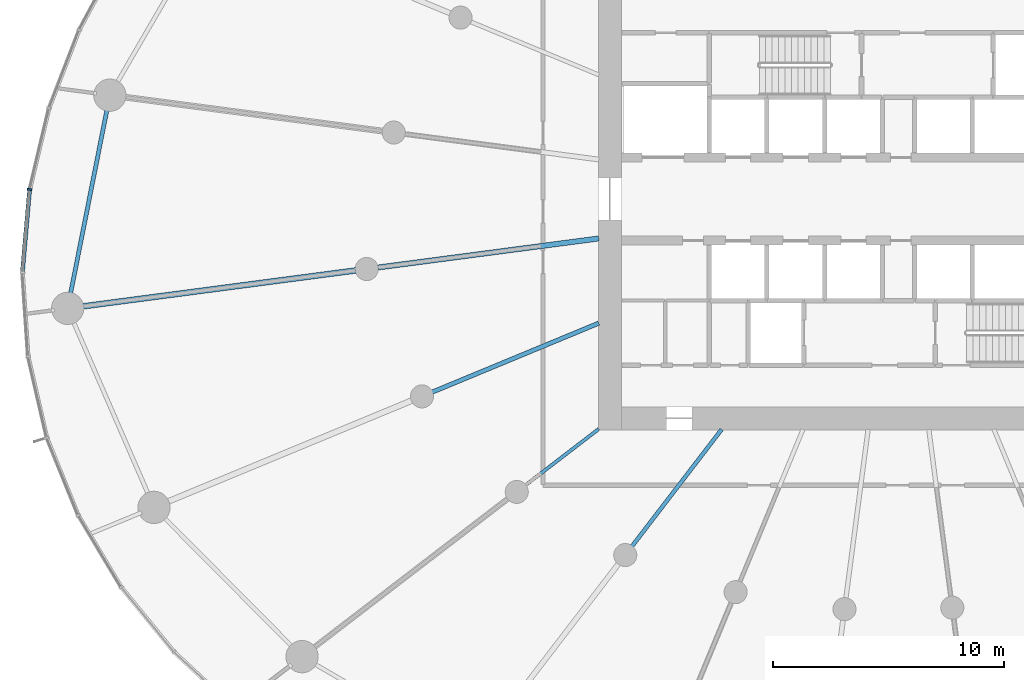
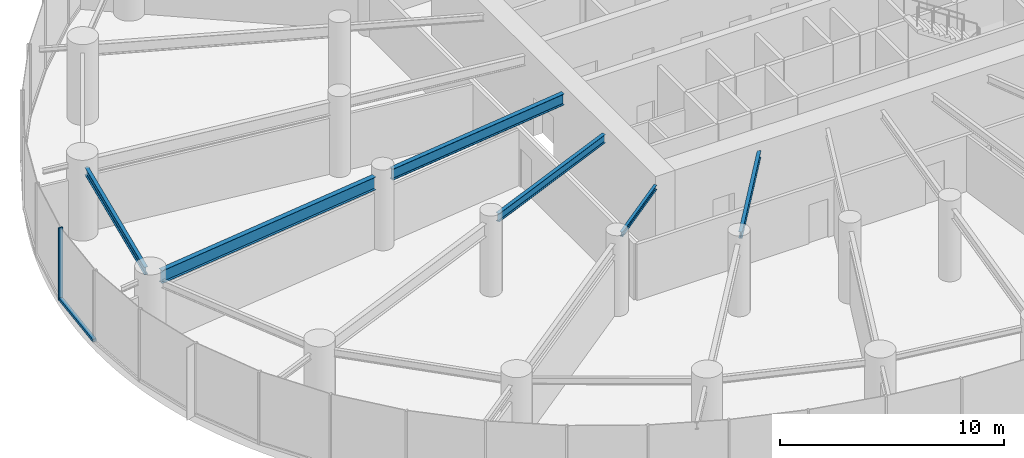
# One storey, part 3 of 18: 6 beams, 2 members, 1 element without a shape of its own.
"""IFC4 building model written with IfcOpenShell, lengths in metres."""

from ifc_helpers import new_model, si_unit, direction, frame, origin, origin_2d, place, context, subcontext, project, spatial, rectangle, i_section, extrude, source, transform, mapped, material, layer, layer_set, material_profile, profile_set, type_object, element, aggregate, save


model = new_model("IFC4")

# Units and contexts
model_context = context("Model", 3, precision=1e-05, world=origin(), true_north=direction((0.0, 1.0)))
body_context = subcontext(model_context, "Body", "Model", "MODEL_VIEW")
ifc_project = project(units=[si_unit("LENGTHUNIT", "METRE"), si_unit("AREAUNIT", "SQUARE_METRE"), si_unit("VOLUMEUNIT", "CUBIC_METRE"), si_unit("PLANEANGLEUNIT", "RADIAN"), si_unit("MASSUNIT", "GRAM", prefix="KILO")], contexts=[model_context])

# Site, building, storey
site_placement = place(None, origin())
site = spatial("IfcSite", under=ifc_project, at=site_placement, CompositionType="ELEMENT")
building_placement = place(site_placement, origin())
building = spatial("IfcBuilding", under=site, at=building_placement, Name="Spindrift Exchange Tower", CompositionType="ELEMENT")
storey_placement = place(building_placement, frame((0.0, 0.0, 62.199951171875)))
storey = spatial("IfcBuildingStorey", under=building, at=storey_placement, Name="L14", CompositionType="ELEMENT", Elevation=62.199951171875)

# Beams
ifc_material_1 = material(Name="Steel Grade 300", Category="steel")
ifc_material_profile_1 = material_profile(ifc_material_1, i_section(OverallWidth=0.22802734375, OverallDepth=0.60693359375, WebThickness=0.01123046875, FlangeThickness=0.017333984375, FilletRadius=0.013916015625, at=origin_2d()), Name="610UB113")
ifc_profile_set_1 = profile_set([ifc_material_profile_1], Name="Steel Grade 300")
beam_type_1 = type_object("IfcBeamType", Name="Floor Beam 610UB113 Steel Grade 300", PredefinedType="BEAM", material=ifc_profile_set_1)
shared_shape_1 = source(origin(), body_context, "Body", "SweptSolid", [
    extrude(i_section(OverallWidth=0.22802734375, OverallDepth=0.60693359375, WebThickness=0.01123046875, FlangeThickness=0.017333984375, FilletRadius=0.013916015625, at=origin_2d()), origin(), (0.0, 0.0, 1.0), 9.660400390625),
])
beam_1_placement = place(storey_placement, frame((39.019775390625, 46.291015625, 3.646484375), z_axis=(-0.99144767089, -0.130504850054, 0.0), x_axis=(0.130504850054, -0.99144767089, 0.0)))
element("IfcBeam", 1, at=beam_1_placement, inside=storey, type_object=beam_type_1, Name="L14 radial beam R13A", PredefinedType="BEAM", context=body_context, shape_type="MappedRepresentation", body=[
    mapped(shared_shape_1, transform((0.0, 0.0, 0.0), scale=1.0)),
])
ifc_material_profile_2 = material_profile(ifc_material_1, i_section(OverallWidth=0.25, OverallDepth=0.699951171875, WebThickness=0.008056640625, FlangeThickness=0.011962890625, at=origin_2d()), Name="700WB115")
ifc_profile_set_2 = profile_set([ifc_material_profile_2], Name="Steel Grade 300")
beam_type_2 = type_object("IfcBeamType", Name="Floor Beam 700WB115 Steel Grade 300", PredefinedType="BEAM", material=ifc_profile_set_2)
shared_shape_2 = source(origin(), body_context, "Body", "SweptSolid", [
    extrude(i_section(OverallWidth=0.25, OverallDepth=0.699951171875, WebThickness=0.008056640625, FlangeThickness=0.011962890625, at=origin_2d()), origin(), (0.0, 0.0, 1.0), 12.00830078125),
])
beam_2_placement = place(storey_placement, frame((28.490234375, 44.90478515625, 3.60009765625), z_axis=(-0.991444950947, -0.130525511844, 0.0), x_axis=(0.130525511844, -0.991444950947, 0.0)))
element("IfcBeam", 2, at=beam_2_placement, inside=storey, type_object=beam_type_2, Name="L14 radial beam R13B", PredefinedType="BEAM", context=body_context, shape_type="MappedRepresentation", body=[
    mapped(shared_shape_2, transform((0.0, 0.0, 0.0), scale=1.0)),
])
ifc_material_profile_3 = material_profile(ifc_material_1, i_section(OverallWidth=0.18994140625, OverallDepth=0.45703125, WebThickness=0.009033203125, FlangeThickness=0.014404296875, FilletRadius=0.013916015625, at=origin_2d()), Name="460UB74.6")
ifc_profile_set_3 = profile_set([ifc_material_profile_3], Name="Steel Grade 300")
beam_type_3 = type_object("IfcBeamType", Name="Floor Beam 460UB74.6 Steel Grade 300", PredefinedType="BEAM", material=ifc_profile_set_3)
shared_shape_3 = source(origin(), body_context, "Body", "SweptSolid", [
    extrude(i_section(OverallWidth=0.18994140625, OverallDepth=0.45703125, WebThickness=0.009033203125, FlangeThickness=0.014404296875, FilletRadius=0.013916015625, at=origin_2d()), origin(), (0.0, 0.0, 1.0), 7.808837890625),
])
beam_3_placement = place(storey_placement, frame((39.0185546875, 42.622802734375, 3.721435546875), z_axis=(-0.92387965154, -0.382683145003, 0.0), x_axis=(0.382683145003, -0.92387965154, 0.0)))
element("IfcBeam", 3, at=beam_3_placement, inside=storey, type_object=beam_type_3, Name="L14 radial beam R14A", PredefinedType="BEAM", context=body_context, shape_type="MappedRepresentation", body=[
    mapped(shared_shape_3, transform((0.0, 0.0, 0.0), scale=1.0)),
])
ifc_material_profile_4 = material_profile(ifc_material_1, i_section(OverallWidth=0.14599609375, OverallDepth=0.251953125, WebThickness=0.006103515625, FlangeThickness=0.008544921875, FilletRadius=0.011962890625, at=origin_2d()), Name="250UB31.4")
ifc_profile_set_4 = profile_set([ifc_material_profile_4], Name="Steel Grade 300")
beam_type_4 = type_object("IfcBeamType", Name="Floor Beam 250UB31.4 Steel Grade 300", PredefinedType="BEAM", material=ifc_profile_set_4)
shared_shape_4 = source(origin(), body_context, "Body", "SweptSolid", [
    extrude(i_section(OverallWidth=0.14599609375, OverallDepth=0.251953125, WebThickness=0.006103515625, FlangeThickness=0.008544921875, FilletRadius=0.011962890625, at=origin_2d()), origin(), (0.0, 0.0, 1.0), 3.99560546875),
])
beam_4_placement = place(storey_placement, frame((39.015869140625, 38.036865234375, 3.823974609375), z_axis=(-0.793352561574, -0.608762443851, 0.0), x_axis=(0.608762443851, -0.793352561574, 0.0)))
element("IfcBeam", 4, at=beam_4_placement, inside=storey, type_object=beam_type_4, Name="L14 radial beam R15A", PredefinedType="BEAM", context=body_context, shape_type="MappedRepresentation", body=[
    mapped(shared_shape_4, transform((0.0, 0.0, 0.0), scale=1.0)),
])
ifc_material_profile_5 = material_profile(ifc_material_1, i_section(OverallWidth=0.172119140625, OverallDepth=0.35888671875, WebThickness=0.008056640625, FlangeThickness=0.012939453125, FilletRadius=0.013916015625, at=origin_2d()), Name="360UB56.7")
ifc_profile_set_5 = profile_set([ifc_material_profile_5], Name="Steel Grade 300")
beam_type_5 = type_object("IfcBeamType", Name="Floor Beam 360UB56.7 Steel Grade 300", PredefinedType="BEAM", material=ifc_profile_set_5)
shared_shape_5 = source(origin(), body_context, "Body", "SweptSolid", [
    extrude(i_section(OverallWidth=0.172119140625, OverallDepth=0.35888671875, WebThickness=0.008056640625, FlangeThickness=0.012939453125, FilletRadius=0.013916015625, at=origin_2d()), origin(), (0.0, 0.0, 1.0), 6.37646484375),
])
beam_5_placement = place(storey_placement, frame((44.3388671875, 38.015869140625, 3.7705078125), z_axis=(-0.608766669952, -0.793349318747, 0.0), x_axis=(0.793349318747, -0.608766669952, 0.0)))
element("IfcBeam", 5, at=beam_5_placement, inside=storey, type_object=beam_type_5, Name="L14 radial beam R16A", PredefinedType="BEAM", context=body_context, shape_type="MappedRepresentation", body=[
    mapped(shared_shape_5, transform((0.0, 0.0, 0.0), scale=1.0)),
])
ifc_material_profile_6 = material_profile(ifc_material_1, i_section(OverallWidth=0.177978515625, OverallDepth=0.406005859375, WebThickness=0.0078125, FlangeThickness=0.0126953125, FilletRadius=0.013916015625, at=origin_2d()), Name="410UB59.7")
ifc_profile_set_6 = profile_set([ifc_material_profile_6], Name="Steel Grade 300")
beam_type_6 = type_object("IfcBeamType", Name="Edge Beam 410UB59.7 Steel Grade 300", PredefinedType="SPANDREL", material=ifc_profile_set_6)
shared_shape_6 = source(origin(), body_context, "Body", "SweptSolid", [
    extrude(i_section(OverallWidth=0.177978515625, OverallDepth=0.406005859375, WebThickness=0.0078125, FlangeThickness=0.0126953125, FilletRadius=0.013916015625, at=origin_2d()), origin(), (0.0, 0.0, 1.0), 8.2548828125),
])
beam_6_placement = place(storey_placement, frame((17.72607421875, 51.928466796875, 3.7470703125), z_axis=(-0.194278723288, -0.9809463684, 0.0), x_axis=(0.9809463684, -0.194278723288, 0.0)))
element("IfcBeam", 6, at=beam_6_placement, inside=storey, type_object=beam_type_6, Name="L14 edge beam E12", PredefinedType="SPANDREL", context=body_context, shape_type="MappedRepresentation", body=[
    mapped(shared_shape_6, transform((0.0, 0.0, 0.0), scale=1.0)),
])

# Curtain wall, members
ifc_material_2 = material(Name="Fritted laminated glass with bronze frame", Category="glass")
ifc_layer = layer(ifc_material_2, 0.199951171875)
ifc_layer_set = layer_set([ifc_layer], Name="ZONE 1 BRONZE FRITTED WALL")
curtain_wall_type = type_object("IfcCurtainWallType", Name="ZONE 1 BRONZE FRITTED WALL", PredefinedType="NOTDEFINED", material=ifc_layer_set)
curtain_wall_placement = place(storey_placement, origin())
curtain_wall = element("IfcCurtainWall", 7, at=curtain_wall_placement, inside=storey, type_object=curtain_wall_type, Name="L14 Zone 1 Bronze Fritted Wall run 5", PredefinedType="NOTDEFINED")
ifc_material_3 = material(Name="Bronze anodised aluminium", Category="aluminium")
ifc_material_profile_7 = material_profile(ifc_material_3, rectangle(XDim=0.080078125, YDim=0.199951171875, at=origin_2d()), Name="ZONE 1 BRONZE FRITTED WALL MULLION 80X200")
ifc_profile_set_7 = profile_set([ifc_material_profile_7], Name="Bronze anodised aluminium")
member_type_1 = type_object("IfcMemberType", Name="ZONE 1 BRONZE FRITTED WALL MULLION 80X200", PredefinedType="MULLION", material=ifc_profile_set_7)
shared_shape_7 = source(origin(), body_context, "Body", "SweptSolid", [
    extrude(rectangle(XDim=0.080078125, YDim=0.199951171875, at=origin_2d()), origin(), (0.0, 0.0, 1.0), 3.949951171875),
])
member_1_placement = place(storey_placement, frame((14.36181640625, 48.412353515625, 0.0), z_axis=(0.0, 0.0, 1.0), x_axis=(-0.159261768631, -0.987236389652, 0.0)))
member_1 = element("IfcMember", 8, at=member_1_placement, type_object=member_type_1, Name="L14 mullion CW-1.28", PredefinedType="MULLION", context=body_context, shape_type="MappedRepresentation", body=[
    mapped(shared_shape_7, transform((0.0, 0.0, 0.0), scale=1.0)),
])
ifc_material_profile_8 = material_profile(ifc_material_3, rectangle(XDim=0.179931640625, YDim=0.14990234375, at=origin_2d()), Name="ZONE 1 BRONZE FRITTED WALL TRANSOM 180X150")
ifc_profile_set_8 = profile_set([ifc_material_profile_8], Name="Bronze anodised aluminium")
member_type_2 = type_object("IfcMemberType", Name="ZONE 1 BRONZE FRITTED WALL TRANSOM 180X150", PredefinedType="USERDEFINED", material=ifc_profile_set_8)
shared_shape_8 = source(origin(), body_context, "Body", "SweptSolid", [
    extrude(rectangle(XDim=0.179931640625, YDim=0.14990234375, at=origin_2d()), origin(), (0.0, 0.0, 1.0), 3.544921875),
])
member_2_placement = place(storey_placement, frame((14.3583984375, 48.37255859375, 0.074951171875), z_axis=(-0.086914916129, -0.996215738359, 0.0), x_axis=(0.996215738359, -0.086914916129, 0.0)))
member_2 = element("IfcMember", 9, at=member_2_placement, type_object=member_type_2, Name="L14 transom CW-1.28", ObjectType="TRANSOM", PredefinedType="USERDEFINED", context=body_context, shape_type="MappedRepresentation", body=[
    mapped(shared_shape_8, transform((0.0, 0.0, 0.0), scale=1.0)),
])
aggregate(curtain_wall, [member_1, member_2])

save(model, "model.ifc")
